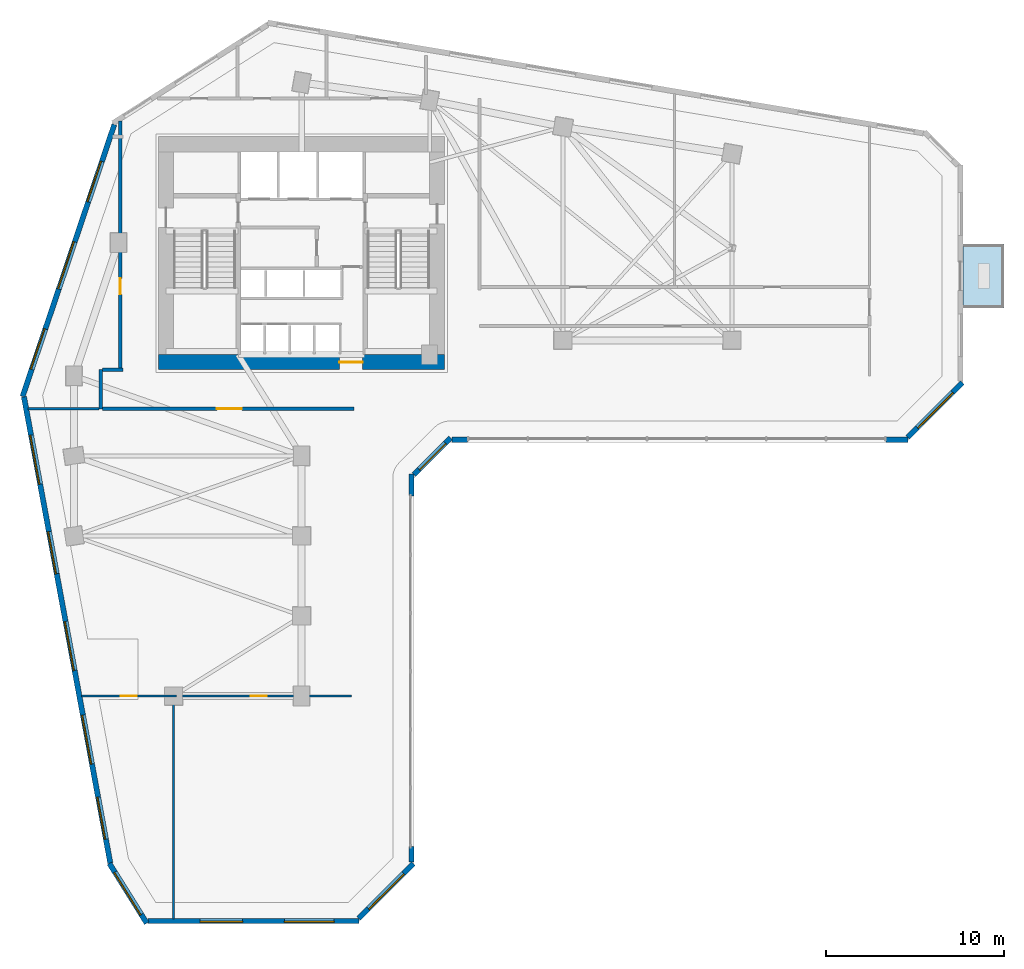
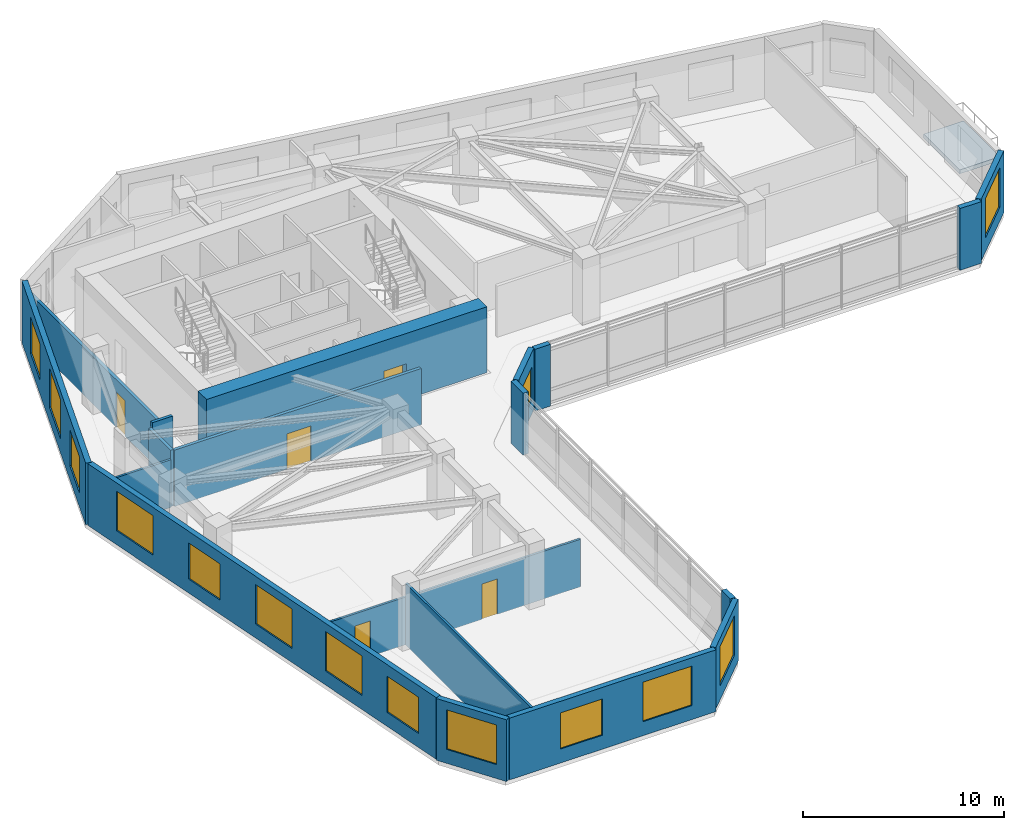
# One storey, part 5 of 11: 20 walls, 14 windows, 5 doors, 1 slab, 19 openings.
"""IFC4 building model written with IfcOpenShell, lengths in metres."""

from ifc_helpers import new_model, si_unit, direction, frame, frame_2d, origin, place, context, subcontext, project, spatial, polyline, rectangle, outline, extrude, source, transform, mapped, material, layer, layer_set, type_object, element, fill, save


model = new_model("IFC4")

# Units and contexts
model_context = context("Model", 3, precision=1e-05, world=origin(), true_north=direction((0.0, 1.0)))
body_context = subcontext(model_context, "Body", "Model", "MODEL_VIEW")
ifc_project = project(units=[si_unit("LENGTHUNIT", "METRE"), si_unit("AREAUNIT", "SQUARE_METRE"), si_unit("VOLUMEUNIT", "CUBIC_METRE"), si_unit("PLANEANGLEUNIT", "RADIAN"), si_unit("MASSUNIT", "GRAM", prefix="KILO")], contexts=[model_context])

# Site, building, storey
site_placement = place(None, origin())
site = spatial("IfcSite", under=ifc_project, at=site_placement, CompositionType="ELEMENT")
building_placement = place(site_placement, origin())
building = spatial("IfcBuilding", under=site, at=building_placement, Name="Calvemar Wedge Station Tower", CompositionType="ELEMENT")
storey_placement = place(building_placement, frame((0.0, 0.0, 31.0)))
storey = spatial("IfcBuildingStorey", under=building, at=storey_placement, Name="L07", CompositionType="ELEMENT", Elevation=31.0)

# Slab
ifc_material_1 = material(Name="Concrete C45", Category="concrete")
ifc_layer_1 = layer(ifc_material_1, 0.239990234375)
ifc_layer_set_1 = layer_set([ifc_layer_1], Name="Concrete C45")
slab_type = type_object("IfcSlabType", Name="SL-TERR-240", PredefinedType="FLOOR", material=ifc_layer_set_1)
slab_placement = place(storey_placement, frame((0.0, 0.0, -0.239990234375)))
element("IfcSlab", 1, at=slab_placement, inside=storey, type_object=slab_type, Name="Storey L07 Planted Spiral Terrace Slab", PredefinedType="FLOOR", context=body_context, shape_type="SweptSolid", body=[
    extrude(outline(polyline([(61.0, 36.81005859375), (63.300048828125, 36.81005859375), (63.300048828125, 40.409912109375), (61.0, 40.409912109375), (61.0, 36.81005859375)])), origin(), (0.0, 0.0, 1.0), 0.239990234375),
])

# Wall, opening, door
ifc_material_2 = material(Name="Concrete C80", Category="concrete")
ifc_layer_2 = layer(ifc_material_2, 0.85009765625)
ifc_layer_set_2 = layer_set([ifc_layer_2], Name="Concrete C80")
wall_type_1 = type_object("IfcWallType", Name="SW-CORE-850", PredefinedType="SHEAR", material=ifc_layer_set_2)
wall_1_placement = place(storey_placement, frame((15.75, 33.77490234375, 0.0), z_axis=(0.0, 0.0, 1.0), x_axis=(1.0, 0.0, 0.0)))
wall_1 = element("IfcWall", 2, at=wall_1_placement, inside=storey, type_object=wall_type_1, Name="Storey L07 Core Shear Wall S", PredefinedType="SHEAR", context=body_context, shape_type="SweptSolid", body=[
    extrude(rectangle(XDim=16.10009765625, YDim=0.85009765625, at=frame_2d((8.050048828125, 0.0))), origin(), (0.0, 0.0, 1.0), 4.0),
])
shared_shape_1 = source(origin(), body_context, "Body", "SweptSolid", [
    extrude(rectangle(XDim=1.300048828125, YDim=2.14990234375, at=frame_2d((0.64990234375, 1.074951171875))), frame((0.0, 0.43505859375, 0.0), z_axis=(0.0, -1.0, 0.0), x_axis=(1.0, 0.0, 0.0)), (0.0, 0.0, 1.0), 0.8701171875),
])
opening_1_placement = place(wall_1_placement, frame((10.179931640625, 0.0, 0.0)))
opening_1 = element("IfcOpeningElement", 3, at=opening_1_placement, cuts=wall_1, Name="Opening DD-130", PredefinedType="OPENING", context=body_context, shape_type="MappedRepresentation", body=[
    mapped(shared_shape_1, transform((0.0, 0.0, 0.0), scale=1.0)),
])
ifc_material_3 = material(Name="Double-leaf lift lobby fire door EI 60")
door_type_1 = type_object("IfcDoorType", Name="DR-DBL-1300", OperationType="DOUBLE_DOOR_SINGLE_SWING", PredefinedType="DOOR", material=ifc_material_3)
shared_shape_2 = source(origin(), body_context, "Body", "SweptSolid", [
    extrude(rectangle(XDim=1.300048828125, YDim=2.14990234375, at=frame_2d((0.64990234375, 1.074951171875))), frame((0.0, 0.02490234375, 0.0), z_axis=(0.0, -1.0, 0.0), x_axis=(1.0, 0.0, 0.0)), (0.0, 0.0, 1.0), 0.050048828125),
])
door_1_placement = place(opening_1_placement, origin())
door_1 = element("IfcDoor", 4, at=door_1_placement, inside=storey, type_object=door_type_1, Name="L07 Passenger Lift Lobby Door", OperationType="DOUBLE_DOOR_SINGLE_SWING", OverallHeight=2.14990234375, OverallWidth=1.300048828125, PredefinedType="DOOR", context=body_context, shape_type="MappedRepresentation", body=[
    mapped(shared_shape_2, transform((0.0, 0.0, 0.0), scale=1.0)),
])
fill(opening_1, door_1)

# Walls
ifc_material_4 = material(Name="Double-stud fire-rated corridor partition")
ifc_layer_3 = layer(ifc_material_4, 0.179931640625)
ifc_layer_set_3 = layer_set([ifc_layer_3], Name="Double-stud fire-rated corridor partition")
wall_type_2 = type_object("IfcWallType", Name="W-CORR-180", PredefinedType="PARTITIONING", material=ifc_layer_set_3)
wall_2_placement = place(storey_placement, frame((12.5, 31.14990234375, 0.0), z_axis=(0.0, 0.0, 1.0), x_axis=(0.0, 1.0, 0.0)))
element("IfcWall", 5, at=wall_2_placement, inside=storey, type_object=wall_type_2, Name="Storey L07 Interior Partition WL-L07-004", PredefinedType="PARTITIONING", context=body_context, shape_type="SweptSolid", body=[
    extrude(rectangle(XDim=2.2001953125, YDim=0.179931640625, at=frame_2d((1.10009765625, 0.0))), origin(), (0.0, 0.0, 1.0), 3.4189453125),
])
wall_3_placement = place(storey_placement, frame((12.593994140625, 33.35009765625, 0.0), z_axis=(0.0, 0.0, 1.0), x_axis=(1.0, 0.0, 0.0)))
element("IfcWall", 6, at=wall_3_placement, inside=storey, type_object=wall_type_2, Name="Storey L07 Interior Partition WL-L07-005", PredefinedType="PARTITIONING", context=body_context, shape_type="SweptSolid", body=[
    extrude(rectangle(XDim=1.166015625, YDim=0.179931640625, at=frame_2d((0.5830078125, 0.0))), origin(), (0.0, 0.0, 1.0), 3.75),
])

# Wall, opening, door
wall_4_placement = place(storey_placement, frame((26.760009765625, 31.14990234375, 0.0), z_axis=(0.0, 0.0, 1.0), x_axis=(-1.0, 0.0, 0.0)))
wall_4 = element("IfcWall", 7, at=wall_4_placement, inside=storey, type_object=wall_type_2, Name="Storey L07 Interior Partition WL-L07-006", PredefinedType="PARTITIONING", context=body_context, shape_type="SweptSolid", body=[
    extrude(rectangle(XDim=14.166015625, YDim=0.179931640625, at=frame_2d((7.0830078125, 0.0))), origin(), (0.0, 0.0, 1.0), 3.4189453125),
])
shared_shape_3 = source(origin(), body_context, "Body", "SweptSolid", [
    extrude(rectangle(XDim=1.39990234375, YDim=2.14990234375, at=frame_2d((0.699951171875, 1.074951171875))), frame((0.0, 0.10009765625, 0.0), z_axis=(0.0, -1.0, 0.0), x_axis=(1.0, 0.0, 0.0)), (0.0, 0.0, 1.0), 0.199951171875),
])
opening_2_placement = place(wall_4_placement, frame((6.322509765625, 0.0, 0.0)))
opening_2 = element("IfcOpeningElement", 8, at=opening_2_placement, cuts=wall_4, Name="Opening DD-140", PredefinedType="OPENING", context=body_context, shape_type="MappedRepresentation", body=[
    mapped(shared_shape_3, transform((0.0, 0.0, 0.0), scale=1.0)),
])
ifc_material_5 = material(Name="Double-leaf corridor acoustic fire door EI 60")
door_type_2 = type_object("IfcDoorType", Name="DR-DBL-1400", OperationType="DOUBLE_DOOR_SINGLE_SWING", PredefinedType="DOOR", material=ifc_material_5)
shared_shape_4 = source(origin(), body_context, "Body", "SweptSolid", [
    extrude(rectangle(XDim=1.39990234375, YDim=2.14990234375, at=frame_2d((0.699951171875, 1.074951171875))), frame((0.0, 0.02490234375, 0.0), z_axis=(0.0, -1.0, 0.0), x_axis=(1.0, 0.0, 0.0)), (0.0, 0.0, 1.0), 0.050048828125),
])
door_2_placement = place(opening_2_placement, origin())
door_2 = element("IfcDoor", 9, at=door_2_placement, inside=storey, type_object=door_type_2, Name="L07 Co-Working Studio Door", OperationType="SINGLE_SWING_RIGHT", OverallHeight=2.14990234375, OverallWidth=1.39990234375, PredefinedType="DOOR", context=body_context, shape_type="MappedRepresentation", body=[
    mapped(shared_shape_4, transform((0.0, 0.0, 0.0), scale=1.0)),
])
fill(opening_2, door_2)

wall_5_placement = place(storey_placement, frame((13.60009765625, 33.444091796875, 0.0), z_axis=(0.0, 0.0, 1.0), x_axis=(0.0, 1.0, 0.0)))
wall_5 = element("IfcWall", 10, at=wall_5_placement, inside=storey, type_object=wall_type_2, Name="Storey L07 Interior Partition WL-L07-007", PredefinedType="PARTITIONING", context=body_context, shape_type="SweptSolid", body=[
    extrude(rectangle(XDim=13.896240234375, YDim=0.179931640625, at=frame_2d((6.9482421875, 0.0))), origin(), (0.0, 0.0, 1.0), 2.89208984375),
])
shared_shape_5 = source(origin(), body_context, "Body", "SweptSolid", [
    extrude(rectangle(XDim=0.89990234375, YDim=2.14990234375, at=frame_2d((0.449951171875, 1.074951171875))), frame((0.0, 0.10009765625, 0.0), z_axis=(0.0, -1.0, 0.0), x_axis=(1.0, 0.0, 0.0)), (0.0, 0.0, 1.0), 0.199951171875),
])
opening_3_placement = place(wall_5_placement, frame((4.143798828125, 0.0, 0.0)))
opening_3 = element("IfcOpeningElement", 11, at=opening_3_placement, cuts=wall_5, Name="Opening D-01", PredefinedType="OPENING", context=body_context, shape_type="MappedRepresentation", body=[
    mapped(shared_shape_5, transform((0.0, 0.0, 0.0), scale=1.0)),
])
ifc_material_6 = material(Name="Architectural hardwood acoustic swing door", Category="wood")
door_type_3 = type_object("IfcDoorType", Name="DR-INT-900", OperationType="NOTDEFINED", PredefinedType="DOOR", material=ifc_material_6)
shared_shape_6 = source(origin(), body_context, "Body", "SweptSolid", [
    extrude(rectangle(XDim=0.89990234375, YDim=2.14990234375, at=frame_2d((0.449951171875, 1.074951171875))), frame((0.0, 0.02490234375, 0.0), z_axis=(0.0, -1.0, 0.0), x_axis=(1.0, 0.0, 0.0)), (0.0, 0.0, 1.0), 0.050048828125),
])
door_3_placement = place(opening_3_placement, origin())
door_3 = element("IfcDoor", 12, at=door_3_placement, inside=storey, type_object=door_type_3, Name="L07 Co-Working Studio Door", OperationType="SINGLE_SWING_RIGHT", OverallHeight=2.14990234375, OverallWidth=0.89990234375, PredefinedType="DOOR", context=body_context, shape_type="MappedRepresentation", body=[
    mapped(shared_shape_6, transform((0.0, 0.0, 0.0), scale=1.0)),
])
fill(opening_3, door_3)

# Wall, opening, window
ifc_material_7 = material(Name="Precast concrete C45", Category="concrete")
ifc_layer_4 = layer(ifc_material_7, 0.300048828125)
ifc_layer_set_4 = layer_set([ifc_layer_4], Name="Precast concrete C45")
wall_type_3 = type_object("IfcWallType", Name="W-EXT-GFRC-300", PredefinedType="SOLIDWALL", material=ifc_layer_set_4)
wall_6_placement = place(storey_placement, frame((12.99072265625, 5.58251953125, 0.0), z_axis=(0.0, 0.0, 1.0), x_axis=(0.530015557218, -0.847987918019, 0.0)))
wall_6 = element("IfcWall", 13, at=wall_6_placement, inside=storey, type_object=wall_type_3, Name="Storey L07 Bronze GFRC Exterior Wall 1", PredefinedType="SOLIDWALL", context=body_context, shape_type="SweptSolid", body=[
    extrude(rectangle(XDim=3.9619140625, YDim=0.300048828125, at=frame_2d((1.98095703125, 0.0))), origin(), (0.0, 0.0, 1.0), 3.75),
])
shared_shape_7 = source(origin(), body_context, "Body", "SweptSolid", [
    extrude(rectangle(XDim=2.800048828125, YDim=2.39990234375, at=frame_2d((1.39990234375, 1.199951171875))), frame((0.0, 0.16015625, 0.0), z_axis=(0.0, -1.0, 0.0), x_axis=(1.0, 0.0, 0.0)), (0.0, 0.0, 1.0), 0.320068359375),
])
opening_4_placement = place(wall_6_placement, frame((0.5810546875, 0.0, 0.85009765625)))
opening_4 = element("IfcOpeningElement", 14, at=opening_4_placement, cuts=wall_6, Name="Opening W6", PredefinedType="OPENING", context=body_context, shape_type="MappedRepresentation", body=[
    mapped(shared_shape_7, transform((0.0, 0.0, 0.0), scale=1.0)),
])
ifc_material_8 = material(Name="Low-E laminated insulated glass", Category="glass")
window_type_1 = type_object("IfcWindowType", Name="WIN-EXT-6", PartitioningType="SINGLE_PANEL", PredefinedType="WINDOW", material=ifc_material_8)
shared_shape_8 = source(origin(), body_context, "Body", "SweptSolid", [
    extrude(rectangle(XDim=2.800048828125, YDim=2.39990234375, at=frame_2d((1.39990234375, 1.199951171875))), frame((0.0, -0.014892578125, 0.0), z_axis=(0.0, -1.0, 0.0), x_axis=(1.0, 0.0, 0.0)), (0.0, 0.0, 1.0), 0.06005859375),
])
window_1_placement = place(opening_4_placement, origin())
window_1 = element("IfcWindow", 15, at=window_1_placement, inside=storey, type_object=window_type_1, Name="Storey L07 Recessed Window 1.1", OverallHeight=2.39990234375, OverallWidth=2.800048828125, PartitioningType="SINGLE_PANEL", PredefinedType="WINDOW", context=body_context, shape_type="MappedRepresentation", body=[
    mapped(shared_shape_8, transform((0.0, 0.0, 0.0), scale=1.0)),
])
fill(opening_4, window_1)

# Wall, openings, windows
wall_7_placement = place(storey_placement, frame((15.173828125, 2.35009765625, 0.0), z_axis=(0.0, 0.0, 1.0), x_axis=(1.0, 0.0, 0.0)))
wall_7 = element("IfcWall", 16, at=wall_7_placement, inside=storey, type_object=wall_type_3, Name="Storey L07 Bronze GFRC Exterior Wall 2", PredefinedType="SOLIDWALL", context=body_context, shape_type="SweptSolid", body=[
    extrude(rectangle(XDim=11.842041015625, YDim=0.300048828125, at=frame_2d((5.9208984375, 0.0))), origin(), (0.0, 0.0, 1.0), 3.75),
])
shared_shape_9 = source(origin(), body_context, "Body", "SweptSolid", [
    extrude(rectangle(XDim=2.39990234375, YDim=2.199951171875, at=frame_2d((1.199951171875, 1.10009765625))), frame((0.0, 0.16015625, 0.0), z_axis=(0.0, -1.0, 0.0), x_axis=(1.0, 0.0, 0.0)), (0.0, 0.0, 1.0), 0.320068359375),
])
opening_5_placement = place(wall_7_placement, frame((2.9150390625, 0.0, 0.85009765625)))
opening_5 = element("IfcOpeningElement", 17, at=opening_5_placement, cuts=wall_7, Name="Opening W1", PredefinedType="OPENING", context=body_context, shape_type="MappedRepresentation", body=[
    mapped(shared_shape_9, transform((0.0, 0.0, 0.0), scale=1.0)),
])
opening_6_placement = place(wall_7_placement, frame((7.653076171875, 0.0, 0.85009765625)))
opening_6 = element("IfcOpeningElement", 18, at=opening_6_placement, cuts=wall_7, Name="Opening W6", PredefinedType="OPENING", context=body_context, shape_type="MappedRepresentation", body=[
    mapped(shared_shape_7, transform((0.0, 0.0, 0.0), scale=1.0)),
])
window_2_placement = place(opening_6_placement, origin())
window_2 = element("IfcWindow", 19, at=window_2_placement, inside=storey, type_object=window_type_1, Name="Storey L07 Recessed Window 2.2", OverallHeight=2.39990234375, OverallWidth=2.800048828125, PartitioningType="SINGLE_PANEL", PredefinedType="WINDOW", context=body_context, shape_type="MappedRepresentation", body=[
    mapped(shared_shape_8, transform((0.0, 0.0, 0.0), scale=1.0)),
])
fill(opening_6, window_2)
window_type_2 = type_object("IfcWindowType", Name="WIN-EXT-1", PartitioningType="SINGLE_PANEL", PredefinedType="WINDOW", material=ifc_material_8)
shared_shape_10 = source(origin(), body_context, "Body", "SweptSolid", [
    extrude(rectangle(XDim=2.39990234375, YDim=2.199951171875, at=frame_2d((1.199951171875, 1.10009765625))), frame((0.0, -0.014892578125, 0.0), z_axis=(0.0, -1.0, 0.0), x_axis=(1.0, 0.0, 0.0)), (0.0, 0.0, 1.0), 0.06005859375),
])
window_3_placement = place(opening_5_placement, origin())
window_3 = element("IfcWindow", 20, at=window_3_placement, inside=storey, type_object=window_type_2, Name="Storey L07 Recessed Window 2.1", OverallHeight=2.199951171875, OverallWidth=2.39990234375, PartitioningType="SINGLE_PANEL", PredefinedType="WINDOW", context=body_context, shape_type="MappedRepresentation", body=[
    mapped(shared_shape_10, transform((0.0, 0.0, 0.0), scale=1.0)),
])
fill(opening_5, window_3)

# Wall, opening, window
wall_8_placement = place(storey_placement, frame((27.00390625, 2.488037109375, 0.0), z_axis=(0.0, 0.0, 1.0), x_axis=(0.707106781187, 0.707106781187, 0.0)))
wall_8 = element("IfcWall", 21, at=wall_8_placement, inside=storey, type_object=wall_type_3, Name="Storey L07 Bronze GFRC Exterior Wall 3", PredefinedType="SOLIDWALL", context=body_context, shape_type="SweptSolid", body=[
    extrude(rectangle(XDim=4.35595703125, YDim=0.300048828125, at=frame_2d((2.177978515625, 0.0))), origin(), (0.0, 0.0, 1.0), 3.75),
])
opening_7_placement = place(wall_8_placement, frame((0.778076171875, 0.0, 0.85009765625)))
opening_7 = element("IfcOpeningElement", 22, at=opening_7_placement, cuts=wall_8, Name="Opening W6", PredefinedType="OPENING", context=body_context, shape_type="MappedRepresentation", body=[
    mapped(shared_shape_7, transform((0.0, 0.0, 0.0), scale=1.0)),
])
window_4_placement = place(opening_7_placement, origin())
window_4 = element("IfcWindow", 23, at=window_4_placement, inside=storey, type_object=window_type_1, Name="Storey L07 Recessed Window 3.1", OverallHeight=2.39990234375, OverallWidth=2.800048828125, PartitioningType="SINGLE_PANEL", PredefinedType="WINDOW", context=body_context, shape_type="MappedRepresentation", body=[
    mapped(shared_shape_8, transform((0.0, 0.0, 0.0), scale=1.0)),
])
fill(opening_7, window_4)

# Walls
wall_9_placement = place(storey_placement, frame((29.97802734375, 5.6572265625, 0.0), z_axis=(0.0, 0.0, 1.0), x_axis=(0.0, 1.0, 0.0)))
element("IfcWall", 24, at=wall_9_placement, inside=storey, type_object=wall_type_3, Name="Storey L07 Bronze GFRC Corner Pier 4A", PredefinedType="SOLIDWALL", context=body_context, shape_type="SweptSolid", body=[
    extrude(rectangle(XDim=0.8798828125, YDim=0.300048828125, at=frame_2d((0.43994140625, 0.0))), origin(), (0.0, 0.0, 1.0), 3.75),
])
wall_10_placement = place(storey_placement, frame((29.97802734375, 26.2470703125, 0.0), z_axis=(0.0, 0.0, 1.0), x_axis=(0.0, 1.0, 0.0)))
element("IfcWall", 25, at=wall_10_placement, inside=storey, type_object=wall_type_3, Name="Storey L07 Bronze GFRC Corner Pier 4B", PredefinedType="SOLIDWALL", context=body_context, shape_type="SweptSolid", body=[
    extrude(rectangle(XDim=1.22509765625, YDim=0.300048828125, at=frame_2d((0.612548828125, 0.0))), origin(), (0.0, 0.0, 1.0), 3.75),
])

# Wall, opening, window
wall_11_placement = place(storey_placement, frame((30.115966796875, 27.460205078125, 0.0), z_axis=(0.0, 0.0, 1.0), x_axis=(0.707106781187, 0.707106781187, 0.0)))
wall_11 = element("IfcWall", 26, at=wall_11_placement, inside=storey, type_object=wall_type_3, Name="Storey L07 Bronze GFRC Exterior Wall 5", PredefinedType="SOLIDWALL", context=body_context, shape_type="SweptSolid", body=[
    extrude(rectangle(XDim=2.907470703125, YDim=0.300048828125, at=frame_2d((1.45361328125, 0.0))), origin(), (0.0, 0.0, 1.0), 3.75),
])
shared_shape_11 = source(origin(), body_context, "Body", "SweptSolid", [
    extrude(rectangle(XDim=2.10009765625, YDim=2.0, at=frame_2d((1.050048828125, 1.0))), frame((0.0, 0.16015625, 0.0), z_axis=(0.0, -1.0, 0.0), x_axis=(1.0, 0.0, 0.0)), (0.0, 0.0, 1.0), 0.320068359375),
])
opening_8_placement = place(wall_11_placement, frame((0.404052734375, 0.0, 0.85009765625)))
opening_8 = element("IfcOpeningElement", 27, at=opening_8_placement, cuts=wall_11, Name="Opening W4", PredefinedType="OPENING", context=body_context, shape_type="MappedRepresentation", body=[
    mapped(shared_shape_11, transform((0.0, 0.0, 0.0), scale=1.0)),
])
window_type_3 = type_object("IfcWindowType", Name="WIN-EXT-4", PartitioningType="SINGLE_PANEL", PredefinedType="WINDOW", material=ifc_material_8)
shared_shape_12 = source(origin(), body_context, "Body", "SweptSolid", [
    extrude(rectangle(XDim=2.10009765625, YDim=2.0, at=frame_2d((1.050048828125, 1.0))), frame((0.0, -0.014892578125, 0.0), z_axis=(0.0, -1.0, 0.0), x_axis=(1.0, 0.0, 0.0)), (0.0, 0.0, 1.0), 0.06005859375),
])
window_5_placement = place(opening_8_placement, origin())
window_5 = element("IfcWindow", 28, at=window_5_placement, inside=storey, type_object=window_type_3, Name="Storey L07 Recessed Window 5.1", OverallHeight=2.0, OverallWidth=2.10009765625, PartitioningType="SINGLE_PANEL", PredefinedType="WINDOW", context=body_context, shape_type="MappedRepresentation", body=[
    mapped(shared_shape_12, transform((0.0, 0.0, 0.0), scale=1.0)),
])
fill(opening_8, window_5)

# Walls
wall_12_placement = place(storey_placement, frame((32.260986328125, 29.409912109375, 0.0), z_axis=(0.0, 0.0, 1.0), x_axis=(1.0, 0.0, 0.0)))
element("IfcWall", 29, at=wall_12_placement, inside=storey, type_object=wall_type_3, Name="Storey L07 Bronze GFRC Corner Pier 6A", PredefinedType="SOLIDWALL", context=body_context, shape_type="SweptSolid", body=[
    extrude(rectangle(XDim=0.8798828125, YDim=0.300048828125, at=frame_2d((0.43994140625, 0.0))), origin(), (0.0, 0.0, 1.0), 3.75),
])
wall_13_placement = place(storey_placement, frame((56.662841796875, 29.409912109375, 0.0), z_axis=(0.0, 0.0, 1.0), x_axis=(1.0, 0.0, 0.0)))
element("IfcWall", 30, at=wall_13_placement, inside=storey, type_object=wall_type_3, Name="Storey L07 Bronze GFRC Corner Pier 6B", PredefinedType="SOLIDWALL", context=body_context, shape_type="SweptSolid", body=[
    extrude(rectangle(XDim=1.22509765625, YDim=0.300048828125, at=frame_2d((0.612548828125, 0.0))), origin(), (0.0, 0.0, 1.0), 3.75),
])

# Wall, opening, window
wall_14_placement = place(storey_placement, frame((57.8759765625, 29.548095703125, 0.0), z_axis=(0.0, 0.0, 1.0), x_axis=(0.707106781187, 0.707106781187, 0.0)))
wall_14 = element("IfcWall", 31, at=wall_14_placement, inside=storey, type_object=wall_type_3, Name="Storey L07 Bronze GFRC Exterior Wall 7", PredefinedType="SOLIDWALL", context=body_context, shape_type="SweptSolid", body=[
    extrude(rectangle(XDim=4.35595703125, YDim=0.300048828125, at=frame_2d((2.177978515625, 0.0))), origin(), (0.0, 0.0, 1.0), 3.75),
])
opening_9_placement = place(wall_14_placement, frame((0.778076171875, 0.0, 0.85009765625)))
opening_9 = element("IfcOpeningElement", 32, at=opening_9_placement, cuts=wall_14, Name="Opening W6", PredefinedType="OPENING", context=body_context, shape_type="MappedRepresentation", body=[
    mapped(shared_shape_7, transform((0.0, 0.0, 0.0), scale=1.0)),
])
window_6_placement = place(opening_9_placement, origin())
window_6 = element("IfcWindow", 33, at=window_6_placement, inside=storey, type_object=window_type_1, Name="Storey L07 Recessed Window 7.1", OverallHeight=2.39990234375, OverallWidth=2.800048828125, PartitioningType="SINGLE_PANEL", PredefinedType="WINDOW", context=body_context, shape_type="MappedRepresentation", body=[
    mapped(shared_shape_8, transform((0.0, 0.0, 0.0), scale=1.0)),
])
fill(opening_9, window_6)

# Wall, openings, windows
wall_15_placement = place(storey_placement, frame((13.2685546875, 47.1337890625, 0.0), z_axis=(0.0, 0.0, 1.0), x_axis=(-0.319920423265, -0.947444416722, 0.0)))
wall_15 = element("IfcWall", 34, at=wall_15_placement, inside=storey, type_object=wall_type_3, Name="Storey L07 Bronze GFRC Exterior Wall 12", PredefinedType="SOLIDWALL", context=body_context, shape_type="SweptSolid", body=[
    extrude(rectangle(XDim=16.134765625, YDim=0.300048828125, at=frame_2d((8.0673828125, 0.0))), origin(), (0.0, 0.0, 1.0), 3.75),
])
opening_10_placement = place(wall_15_placement, frame((2.18798828125, 0.0, 0.85009765625)))
opening_10 = element("IfcOpeningElement", 35, at=opening_10_placement, cuts=wall_15, Name="Opening W1", PredefinedType="OPENING", context=body_context, shape_type="MappedRepresentation", body=[
    mapped(shared_shape_9, transform((0.0, 0.0, 0.0), scale=1.0)),
])
opening_11_placement = place(wall_15_placement, frame((6.958984375, 0.0, 0.85009765625)))
opening_11 = element("IfcOpeningElement", 36, at=opening_11_placement, cuts=wall_15, Name="Opening W6", PredefinedType="OPENING", context=body_context, shape_type="MappedRepresentation", body=[
    mapped(shared_shape_7, transform((0.0, 0.0, 0.0), scale=1.0)),
])
opening_12_placement = place(wall_15_placement, frame((12.1298828125, 0.0, 0.85009765625)))
opening_12 = element("IfcOpeningElement", 37, at=opening_12_placement, cuts=wall_15, Name="Opening W1", PredefinedType="OPENING", context=body_context, shape_type="MappedRepresentation", body=[
    mapped(shared_shape_9, transform((0.0, 0.0, 0.0), scale=1.0)),
])
window_7_placement = place(opening_11_placement, origin())
window_7 = element("IfcWindow", 38, at=window_7_placement, inside=storey, type_object=window_type_1, Name="Storey L07 Recessed Window 12.2", OverallHeight=2.39990234375, OverallWidth=2.800048828125, PartitioningType="SINGLE_PANEL", PredefinedType="WINDOW", context=body_context, shape_type="MappedRepresentation", body=[
    mapped(shared_shape_8, transform((0.0, 0.0, 0.0), scale=1.0)),
])
fill(opening_11, window_7)
window_8_placement = place(opening_10_placement, origin())
window_8 = element("IfcWindow", 39, at=window_8_placement, inside=storey, type_object=window_type_2, Name="Storey L07 Recessed Window 12.1", OverallHeight=2.199951171875, OverallWidth=2.39990234375, PartitioningType="SINGLE_PANEL", PredefinedType="WINDOW", context=body_context, shape_type="MappedRepresentation", body=[
    mapped(shared_shape_10, transform((0.0, 0.0, 0.0), scale=1.0)),
])
fill(opening_10, window_8)
window_9_placement = place(opening_12_placement, origin())
window_9 = element("IfcWindow", 40, at=window_9_placement, inside=storey, type_object=window_type_2, Name="Storey L07 Recessed Window 12.3", OverallHeight=2.199951171875, OverallWidth=2.39990234375, PartitioningType="SINGLE_PANEL", PredefinedType="WINDOW", context=body_context, shape_type="MappedRepresentation", body=[
    mapped(shared_shape_10, transform((0.0, 0.0, 0.0), scale=1.0)),
])
fill(opening_12, window_9)

wall_16_placement = place(storey_placement, frame((8.183349609375, 31.83349609375, 0.0), z_axis=(0.0, 0.0, 1.0), x_axis=(0.18216364648, -0.983268226834, 0.0)))
wall_16 = element("IfcWall", 41, at=wall_16_placement, inside=storey, type_object=wall_type_3, Name="Storey L07 Bronze GFRC Exterior Wall 13", PredefinedType="SOLIDWALL", context=body_context, shape_type="SweptSolid", body=[
    extrude(rectangle(XDim=26.678466796875, YDim=0.300048828125, at=frame_2d((13.33935546875, 0.0))), origin(), (0.0, 0.0, 1.0), 3.75),
])
opening_13_placement = place(wall_16_placement, frame((2.200927734375, 0.0, 0.85009765625)))
opening_13 = element("IfcOpeningElement", 42, at=opening_13_placement, cuts=wall_16, Name="Opening W6", PredefinedType="OPENING", context=body_context, shape_type="MappedRepresentation", body=[
    mapped(shared_shape_7, transform((0.0, 0.0, 0.0), scale=1.0)),
])
opening_14_placement = place(wall_16_placement, frame((7.72900390625, 0.0, 0.85009765625)))
opening_14 = element("IfcOpeningElement", 43, at=opening_14_placement, cuts=wall_16, Name="Opening W1", PredefinedType="OPENING", context=body_context, shape_type="MappedRepresentation", body=[
    mapped(shared_shape_9, transform((0.0, 0.0, 0.0), scale=1.0)),
])
opening_15_placement = place(wall_16_placement, frame((12.85693359375, 0.0, 0.85009765625)))
opening_15 = element("IfcOpeningElement", 44, at=opening_15_placement, cuts=wall_16, Name="Opening W6", PredefinedType="OPENING", context=body_context, shape_type="MappedRepresentation", body=[
    mapped(shared_shape_7, transform((0.0, 0.0, 0.0), scale=1.0)),
])
opening_16_placement = place(wall_16_placement, frame((18.2109375, 0.0, 0.85009765625)))
opening_16 = element("IfcOpeningElement", 45, at=opening_16_placement, cuts=wall_16, Name="Opening W6", PredefinedType="OPENING", context=body_context, shape_type="MappedRepresentation", body=[
    mapped(shared_shape_7, transform((0.0, 0.0, 0.0), scale=1.0)),
])
opening_17_placement = place(wall_16_placement, frame((22.908935546875, 0.0, 0.85009765625)))
opening_17 = element("IfcOpeningElement", 46, at=opening_17_placement, cuts=wall_16, Name="Opening W1", PredefinedType="OPENING", context=body_context, shape_type="MappedRepresentation", body=[
    mapped(shared_shape_9, transform((0.0, 0.0, 0.0), scale=1.0)),
])
window_10_placement = place(opening_13_placement, origin())
window_10 = element("IfcWindow", 47, at=window_10_placement, inside=storey, type_object=window_type_1, Name="Storey L07 Recessed Window 13.1", OverallHeight=2.39990234375, OverallWidth=2.800048828125, PartitioningType="SINGLE_PANEL", PredefinedType="WINDOW", context=body_context, shape_type="MappedRepresentation", body=[
    mapped(shared_shape_8, transform((0.0, 0.0, 0.0), scale=1.0)),
])
fill(opening_13, window_10)
window_11_placement = place(opening_15_placement, origin())
window_11 = element("IfcWindow", 48, at=window_11_placement, inside=storey, type_object=window_type_1, Name="Storey L07 Recessed Window 13.3", OverallHeight=2.39990234375, OverallWidth=2.800048828125, PartitioningType="SINGLE_PANEL", PredefinedType="WINDOW", context=body_context, shape_type="MappedRepresentation", body=[
    mapped(shared_shape_8, transform((0.0, 0.0, 0.0), scale=1.0)),
])
fill(opening_15, window_11)
window_12_placement = place(opening_16_placement, origin())
window_12 = element("IfcWindow", 49, at=window_12_placement, inside=storey, type_object=window_type_1, Name="Storey L07 Recessed Window 13.4", OverallHeight=2.39990234375, OverallWidth=2.800048828125, PartitioningType="SINGLE_PANEL", PredefinedType="WINDOW", context=body_context, shape_type="MappedRepresentation", body=[
    mapped(shared_shape_8, transform((0.0, 0.0, 0.0), scale=1.0)),
])
fill(opening_16, window_12)
window_13_placement = place(opening_14_placement, origin())
window_13 = element("IfcWindow", 50, at=window_13_placement, inside=storey, type_object=window_type_2, Name="Storey L07 Recessed Window 13.2", OverallHeight=2.199951171875, OverallWidth=2.39990234375, PartitioningType="SINGLE_PANEL", PredefinedType="WINDOW", context=body_context, shape_type="MappedRepresentation", body=[
    mapped(shared_shape_10, transform((0.0, 0.0, 0.0), scale=1.0)),
])
fill(opening_14, window_13)
window_14_placement = place(opening_17_placement, origin())
window_14 = element("IfcWindow", 51, at=window_14_placement, inside=storey, type_object=window_type_2, Name="Storey L07 Recessed Window 13.5", OverallHeight=2.199951171875, OverallWidth=2.39990234375, PartitioningType="SINGLE_PANEL", PredefinedType="WINDOW", context=body_context, shape_type="MappedRepresentation", body=[
    mapped(shared_shape_10, transform((0.0, 0.0, 0.0), scale=1.0)),
])
fill(opening_17, window_14)

# Wall
ifc_material_9 = material(Name="Insulated acoustic gypsum stud partition")
ifc_layer_5 = layer(ifc_material_9, 0.125)
ifc_layer_set_5 = layer_set([ifc_layer_5], Name="Insulated acoustic gypsum stud partition")
wall_type_4 = type_object("IfcWallType", Name="W-PART-125", PredefinedType="PARTITIONING", material=ifc_layer_set_5)
wall_17_placement = place(storey_placement, frame((12.406005859375, 31.14990234375, 0.0), z_axis=(0.0, 0.0, 1.0), x_axis=(-1.0, 0.0, 0.0)))
element("IfcWall", 52, at=wall_17_placement, inside=storey, type_object=wall_type_4, Name="Storey L07 Interior Partition WL-L07-014", PredefinedType="PARTITIONING", context=body_context, shape_type="SweptSolid", body=[
    extrude(rectangle(XDim=3.97900390625, YDim=0.125, at=frame_2d((1.989501953125, 0.0))), origin(), (0.0, 0.0, 1.0), 2.89208984375),
])

# Wall, opening, door
wall_18_placement = place(storey_placement, frame((16.760009765625, 15.0, 0.0), z_axis=(0.0, 0.0, 1.0), x_axis=(-1.0, 0.0, 0.0)))
wall_18 = element("IfcWall", 53, at=wall_18_placement, inside=storey, type_object=wall_type_4, Name="Storey L07 Interior Partition WL-L07-024", PredefinedType="PARTITIONING", context=body_context, shape_type="SweptSolid", body=[
    extrude(rectangle(XDim=5.341064453125, YDim=0.125, at=frame_2d((2.67041015625, 0.0))), origin(), (0.0, 0.0, 1.0), 2.89208984375),
])
shared_shape_13 = source(origin(), body_context, "Body", "SweptSolid", [
    extrude(rectangle(XDim=0.89990234375, YDim=2.14990234375, at=frame_2d((0.449951171875, 1.074951171875))), frame((0.0, 0.072509765625, 0.0), z_axis=(0.0, -1.0, 0.0), x_axis=(1.0, 0.0, 0.0)), (0.0, 0.0, 1.0), 0.14501953125),
])
opening_18_placement = place(wall_18_placement, frame((2.220458984375, 0.0, 0.0)))
opening_18 = element("IfcOpeningElement", 54, at=opening_18_placement, cuts=wall_18, Name="Opening D-01", PredefinedType="OPENING", context=body_context, shape_type="MappedRepresentation", body=[
    mapped(shared_shape_13, transform((0.0, 0.0, 0.0), scale=1.0)),
])
door_4_placement = place(opening_18_placement, origin())
door_4 = element("IfcDoor", 55, at=door_4_placement, inside=storey, type_object=door_type_3, Name="L07 Meeting Room Door", OperationType="SINGLE_SWING_LEFT", OverallHeight=2.14990234375, OverallWidth=0.89990234375, PredefinedType="DOOR", context=body_context, shape_type="MappedRepresentation", body=[
    mapped(shared_shape_6, transform((0.0, 0.0, 0.0), scale=1.0)),
])
fill(opening_18, door_4)

wall_19_placement = place(storey_placement, frame((26.60009765625, 15.0, 0.0), z_axis=(0.0, 0.0, 1.0), x_axis=(-1.0, 0.0, 0.0)))
wall_19 = element("IfcWall", 56, at=wall_19_placement, inside=storey, type_object=wall_type_4, Name="Storey L07 Interior Partition WL-L07-025", PredefinedType="PARTITIONING", context=body_context, shape_type="SweptSolid", body=[
    extrude(rectangle(XDim=9.838134765625, YDim=0.125, at=frame_2d((4.9189453125, 0.0))), origin(), (0.0, 0.0, 1.0), 2.89208984375),
])
opening_19_placement = place(wall_19_placement, frame((4.772705078125, 0.0, 0.0)))
opening_19 = element("IfcOpeningElement", 57, at=opening_19_placement, cuts=wall_19, Name="Opening D-01", PredefinedType="OPENING", context=body_context, shape_type="MappedRepresentation", body=[
    mapped(shared_shape_13, transform((0.0, 0.0, 0.0), scale=1.0)),
])
door_5_placement = place(opening_19_placement, origin())
door_5 = element("IfcDoor", 58, at=door_5_placement, inside=storey, type_object=door_type_3, Name="L07 Office Door", OperationType="SINGLE_SWING_RIGHT", OverallHeight=2.14990234375, OverallWidth=0.89990234375, PredefinedType="DOOR", context=body_context, shape_type="MappedRepresentation", body=[
    mapped(shared_shape_6, transform((0.0, 0.0, 0.0), scale=1.0)),
])
fill(opening_19, door_5)

# Wall
wall_20_placement = place(storey_placement, frame((16.60009765625, 14.93359375, 0.0), z_axis=(0.0, 0.0, 1.0), x_axis=(0.0, -1.0, 0.0)))
element("IfcWall", 59, at=wall_20_placement, inside=storey, type_object=wall_type_4, Name="Storey L07 Interior Partition WL-L07-026", PredefinedType="PARTITIONING", context=body_context, shape_type="SweptSolid", body=[
    extrude(rectangle(XDim=12.468505859375, YDim=0.125, at=frame_2d((6.234375, 0.0))), origin(), (0.0, 0.0, 1.0), 3.75),
])

save(model, "model.ifc")
